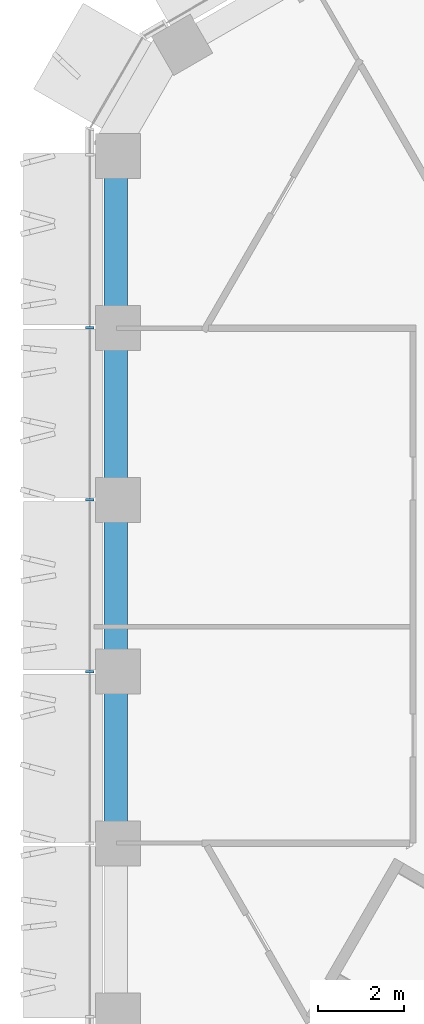
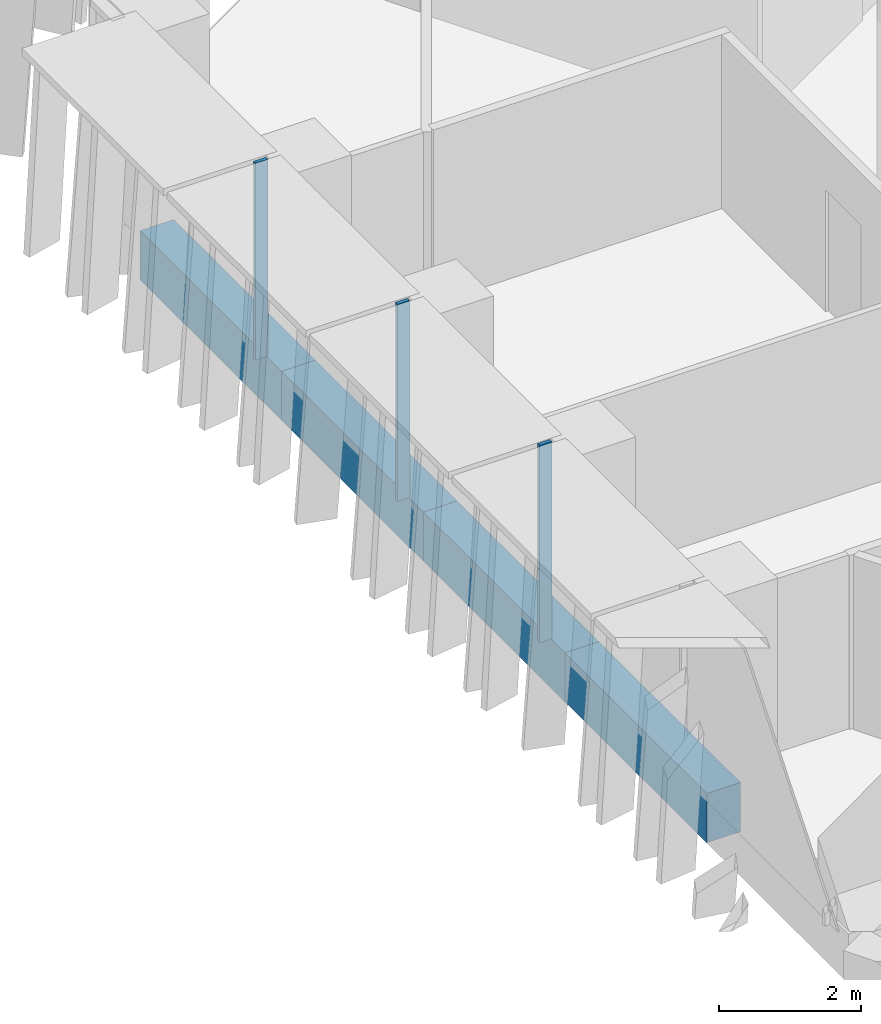
# One storey, part 3 of 25: 4 beams, 3 members, 1 element without a shape of its own.
"""IFC4 building model written with IfcOpenShell, lengths in metres."""

from ifc_helpers import new_model, si_unit, direction, frame, origin, origin_2d, place, context, subcontext, project, spatial, rectangle, extrude, material, layer, layer_set, material_profile, profile_set, type_object, element, aggregate, save


model = new_model("IFC4")

# Units and contexts
model_context = context("Model", 3, precision=1e-05, world=origin(), true_north=direction((0.0, 1.0)))
body_context = subcontext(model_context, "Body", "Model", "MODEL_VIEW")
ifc_project = project(units=[si_unit("LENGTHUNIT", "METRE"), si_unit("AREAUNIT", "SQUARE_METRE"), si_unit("VOLUMEUNIT", "CUBIC_METRE"), si_unit("PLANEANGLEUNIT", "RADIAN"), si_unit("MASSUNIT", "GRAM", prefix="KILO")], contexts=[model_context])

# Site, building, storey
site_placement = place(None, origin())
site = spatial("IfcSite", under=ifc_project, at=site_placement, CompositionType="ELEMENT")
building_placement = place(site_placement, origin())
building = spatial("IfcBuilding", under=site, at=building_placement, Name="Ayvan Gate Tower", CompositionType="ELEMENT")
storey_placement = place(building_placement, frame((0.0, 0.0, 132.5)))
storey = spatial("IfcBuildingStorey", under=building, at=storey_placement, Name="L35", CompositionType="ELEMENT", Elevation=132.5)

# Beams
ifc_material_1 = material(Name="Concrete C40/50", Category="concrete")
ifc_material_profile_1 = material_profile(ifc_material_1, rectangle(XDim=0.550048828125, YDim=0.85009765625, at=origin_2d()), Name="RC 550x850")
ifc_profile_set_1 = profile_set([ifc_material_profile_1], Name="Concrete C40/50")
beam_type = type_object("IfcBeamType", Name="Spandrel beam RC 550x850 C40/50", PredefinedType="BEAM", material=ifc_profile_set_1)
for number, where, z_axis, x_axis, name in (
    (1, (-18.63671875, 10.008056640625, -0.77490234375), (0.0, -1.0, 0.0), (1.0, 0.0, 0.0), "SB-L35-19"),
    (2, (-18.63671875, 6.0048828125, -0.77490234375), (0.0, -1.0, 0.0), (1.0, 0.0, 0.0), "SB-L35-20"),
):
    element("IfcBeam", number, at=place(storey_placement, frame(where, z_axis=z_axis, x_axis=x_axis)), inside=storey, type_object=beam_type, Name=name, PredefinedType="BEAM", context=body_context, shape_type="SweptSolid", body=[
        extrude(rectangle(XDim=0.550048828125, YDim=0.85009765625, at=origin_2d()), origin(), (0.0, 0.0, 1.0), 4.003173828125),
    ])
beam_1_placement = place(storey_placement, frame((-18.63671875, 2.001708984375, -0.77490234375), z_axis=(0.0, -1.0, 0.0), x_axis=(1.0, 0.0, 0.0)))
element("IfcBeam", 3, at=beam_1_placement, inside=storey, type_object=beam_type, Name="SB-L35-21", PredefinedType="BEAM", context=body_context, shape_type="SweptSolid", body=[
    extrude(rectangle(XDim=0.550048828125, YDim=0.85009765625, at=origin_2d()), origin(), (0.0, 0.0, 1.0), 4.00341796875),
])
beam_2_placement = place(storey_placement, frame((-18.63671875, -2.001708984375, -0.77490234375), z_axis=(0.0, -1.0, 0.0), x_axis=(1.0, 0.0, 0.0)))
element("IfcBeam", 4, at=beam_2_placement, inside=storey, type_object=beam_type, Name="SB-L35-22", PredefinedType="BEAM", context=body_context, shape_type="SweptSolid", body=[
    extrude(rectangle(XDim=0.550048828125, YDim=0.85009765625, at=origin_2d()), origin(), (0.0, 0.0, 1.0), 4.003173828125),
])

# Curtain wall, members
ifc_material_2 = material(Name="Bronze anodised aluminium", Category="aluminium")
ifc_layer = layer(ifc_material_2, 0.199951171875)
ifc_layer_set = layer_set([ifc_layer], Name="Bronze anodised aluminium")
curtain_wall_type = type_object("IfcCurtainWallType", Name="Stick curtain wall CW-1", PredefinedType="NOTDEFINED", material=ifc_layer_set)
curtain_wall_placement = place(storey_placement, origin())
curtain_wall = element("IfcCurtainWall", 5, at=curtain_wall_placement, inside=storey, type_object=curtain_wall_type, Name="Stick curtain wall CW-1 L35", PredefinedType="NOTDEFINED")
ifc_material_profile_2 = material_profile(ifc_material_2, rectangle(XDim=0.199951171875, YDim=0.06005859375, at=origin_2d()), Name="Stick curtain wall CW-1 mullion 200 x 60")
ifc_profile_set_2 = profile_set([ifc_material_profile_2], Name="Bronze anodised aluminium")
member_type = type_object("IfcMemberType", Name="Stick curtain wall CW-1 mullion 200 x 60", PredefinedType="MULLION", material=ifc_profile_set_2)
member_1_placement = place(storey_placement, frame((-19.248291015625, 6.02001953125, 0.0), z_axis=(0.0, 0.0, 1.0), x_axis=(-1.0, 0.0, 0.0)))
member_1 = element("IfcMember", 6, at=member_1_placement, type_object=member_type, Name="CW-1 mullion 2", PredefinedType="MULLION", context=body_context, shape_type="SweptSolid", body=[
    extrude(rectangle(XDim=0.199951171875, YDim=0.06005859375, at=origin_2d()), origin(), (0.0, 0.0, 1.0), 3.39990234375),
])
member_2_placement = place(storey_placement, frame((-19.248291015625, 2.007080078125, 0.0), z_axis=(0.0, 0.0, 1.0), x_axis=(-1.0, 0.0, 0.0)))
member_2 = element("IfcMember", 7, at=member_2_placement, type_object=member_type, Name="CW-1 mullion 3", PredefinedType="MULLION", context=body_context, shape_type="SweptSolid", body=[
    extrude(rectangle(XDim=0.199951171875, YDim=0.06005859375, at=origin_2d()), origin(), (0.0, 0.0, 1.0), 3.39990234375),
])
member_3_placement = place(storey_placement, frame((-19.248291015625, -2.0068359375, 0.0), z_axis=(0.0, 0.0, 1.0), x_axis=(-1.0, 0.0, 0.0)))
member_3 = element("IfcMember", 8, at=member_3_placement, type_object=member_type, Name="CW-1 mullion 4", PredefinedType="MULLION", context=body_context, shape_type="SweptSolid", body=[
    extrude(rectangle(XDim=0.199951171875, YDim=0.06005859375, at=origin_2d()), origin(), (0.0, 0.0, 1.0), 3.39990234375),
])
aggregate(curtain_wall, [member_1, member_2, member_3])

save(model, "model.ifc")
